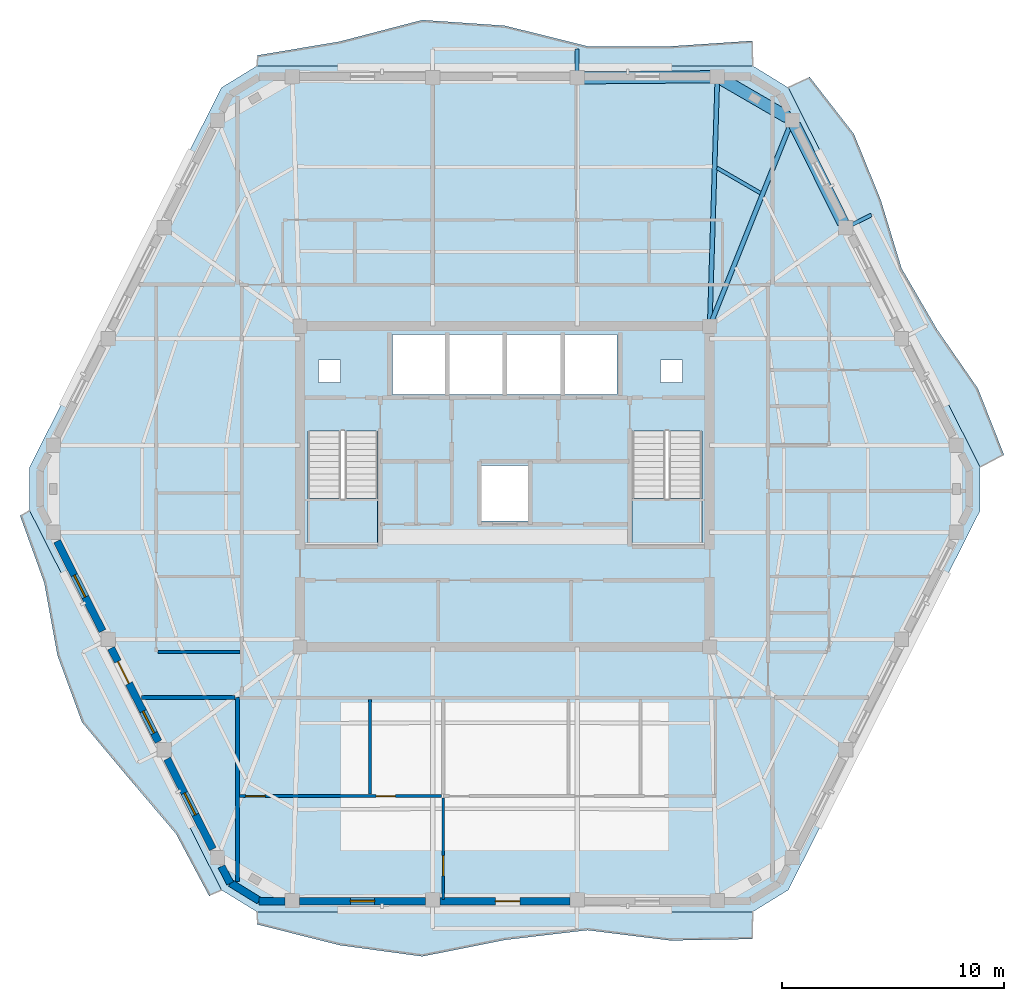
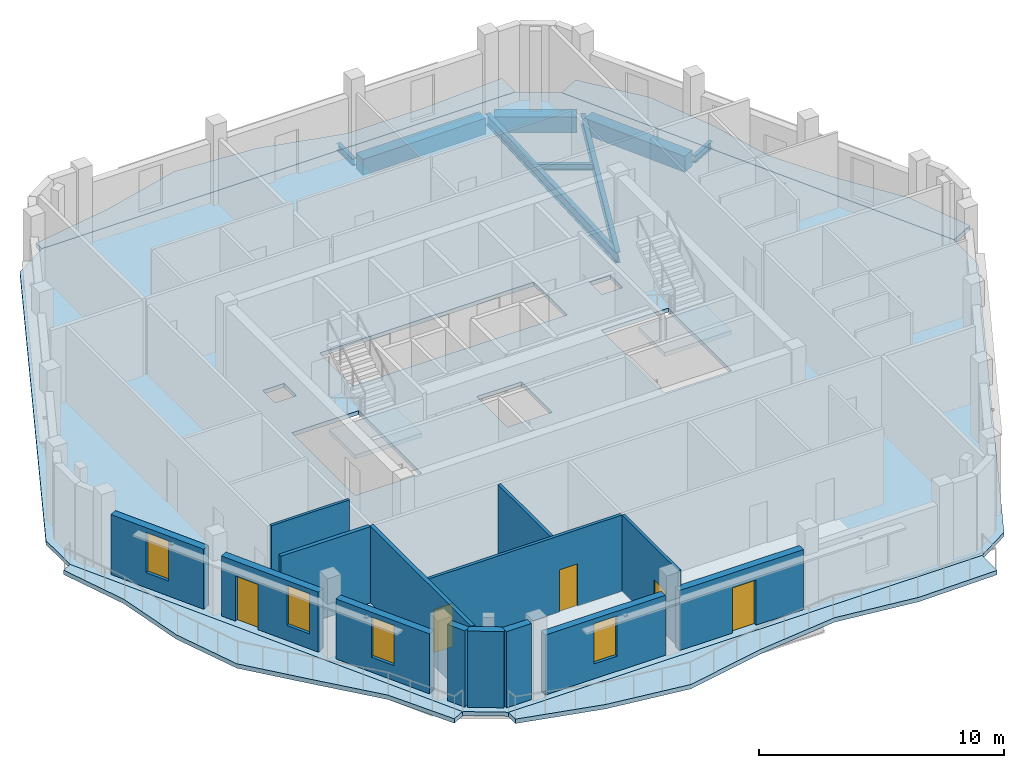
# One storey, part 3 of 10: 14 walls, 8 beams, 7 slabs, 5 doors, 4 windows, 9 openings, 2 elements without a shape of their own.
"""IFC4 building model written with IfcOpenShell, lengths in metres."""

from ifc_helpers import new_model, si_unit, direction, frame, frame_2d, origin, origin_2d, place, context, subcontext, project, spatial, polyline, rectangle, i_section, outline, extrude, material, layer, layer_set, material_profile, profile_set, type_object, element, fill, aggregate, save


model = new_model("IFC4")

# Units and contexts
model_context = context("Model", 3, precision=1e-05, world=origin(), true_north=direction((0.0, 1.0)))
body_context = subcontext(model_context, "Body", "Model", "MODEL_VIEW")
ifc_project = project(units=[si_unit("LENGTHUNIT", "METRE"), si_unit("AREAUNIT", "SQUARE_METRE"), si_unit("VOLUMEUNIT", "CUBIC_METRE"), si_unit("PLANEANGLEUNIT", "RADIAN"), si_unit("MASSUNIT", "GRAM", prefix="KILO")], contexts=[model_context])

# Site, building, storey
site_placement = place(None, origin())
site = spatial("IfcSite", under=ifc_project, at=site_placement, CompositionType="ELEMENT")
building_placement = place(site_placement, origin())
building = spatial("IfcBuilding", under=site, at=building_placement, Name="Cinnabar Lancet Tower", CompositionType="ELEMENT")
storey_placement = place(building_placement, frame((0.0, 0.0, 287.5)))
storey = spatial("IfcBuildingStorey", under=building, at=storey_placement, Name="L76", CompositionType="ELEMENT", Elevation=287.5)

# Beams
ifc_material_1 = material(Name="Structural steel S355", Category="steel")
ifc_material_profile_1 = material_profile(ifc_material_1, i_section(OverallWidth=0.1650390625, OverallDepth=0.303466796875, WebThickness=0.006103515625, FlangeThickness=0.01025390625, FilletRadius=0.0087890625, at=origin_2d()), Name="UKB 305x165x40")
ifc_profile_set_1 = profile_set([ifc_material_profile_1], Name="Structural steel S355")
beam_type_1 = type_object("IfcBeamType", Name="STR-BM-JST-305", PredefinedType="JOIST", material=ifc_profile_set_1)
beam_1_placement = place(storey_placement, frame((43.912109375, 39.1201171875, -0.35205078125), z_axis=(-0.865426285481, 0.501036270542, 0.0), x_axis=(-0.501036270542, -0.865426285481, 0.0)))
element("IfcBeam", 1, at=beam_1_placement, inside=storey, type_object=beam_type_1, Name="L76 Secondary Floor Joist 29", PredefinedType="JOIST", context=body_context, shape_type="SweptSolid", body=[
    extrude(i_section(OverallWidth=0.1650390625, OverallDepth=0.303466796875, WebThickness=0.006103515625, FlangeThickness=0.01025390625, FilletRadius=0.0087890625, at=origin_2d()), origin(), (0.0, 0.0, 1.0), 2.267333984375),
])
ifc_material_2 = material(Name="Concrete C50/60", Category="concrete")
ifc_material_profile_2 = material_profile(ifc_material_2, rectangle(XDim=0.550048828125, YDim=0.800048828125, at=origin_2d()), Name="RC-SB 550x800")
ifc_profile_set_2 = profile_set([ifc_material_profile_2], Name="Concrete C50/60")
beam_type_2 = type_object("IfcBeamType", Name="STR-BM-RCSB-800", PredefinedType="SPANDREL", material=ifc_profile_set_2)
beam_2_placement = place(storey_placement, frame((47.637939453125, 37.778076171875, -0.60009765625), z_axis=(-0.444372599207, 0.895842058107, 0.0), x_axis=(-0.895842058107, -0.444372599207, 0.0)))
element("IfcBeam", 2, at=beam_2_placement, inside=storey, type_object=beam_type_2, Name="L76 Perimeter Spandrel 11", PredefinedType="SPANDREL", context=body_context, shape_type="SweptSolid", body=[
    extrude(rectangle(XDim=0.550048828125, YDim=0.800048828125, at=origin_2d()), origin(), (0.0, 0.0, 1.0), 4.91943359375),
])
beam_3_placement = place(storey_placement, frame((45.125, 42.533935546875, -0.60009765625), z_axis=(-0.865199693264, 0.501427453153, 0.0), x_axis=(-0.501427453153, -0.865199693264, 0.0)))
element("IfcBeam", 3, at=beam_3_placement, inside=storey, type_object=beam_type_2, Name="L76 Perimeter Spandrel 12", PredefinedType="SPANDREL", context=body_context, shape_type="SweptSolid", body=[
    extrude(rectangle(XDim=0.550048828125, YDim=0.800048828125, at=origin_2d()), origin(), (0.0, 0.0, 1.0), 3.39453125),
])
beam_4_placement = place(storey_placement, frame((41.721923828125, 44.35888671875, -0.60009765625), z_axis=(-0.999964782464, -0.008392486634, 0.0), x_axis=(0.008392486634, -0.999964782464, 0.0)))
element("IfcBeam", 4, at=beam_4_placement, inside=storey, type_object=beam_type_2, Name="L76 Perimeter Spandrel 13", PredefinedType="SPANDREL", context=body_context, shape_type="SweptSolid", body=[
    extrude(rectangle(XDim=0.550048828125, YDim=0.800048828125, at=origin_2d()), origin(), (0.0, 0.0, 1.0), 5.818115234375),
])
ifc_material_3 = material(Name="Structural steel S355", Category="steel")
ifc_material_profile_3 = material_profile(ifc_material_3, i_section(OverallWidth=0.209228515625, OverallDepth=0.533203125, WebThickness=0.010009765625, FlangeThickness=0.015625, FilletRadius=0.0126953125, at=origin_2d()), Name="UKB 533x210x92")
ifc_profile_set_3 = profile_set([ifc_material_profile_3], Name="Structural steel S355")
beam_type_3 = type_object("IfcBeamType", Name="STR-BM-UKB533-92", PredefinedType="BEAM", material=ifc_profile_set_3)
beam_5_placement = place(storey_placement, frame((45.341064453125, 42.408935546875, -0.467041015625), z_axis=(-0.371605341166, -0.928390796172, 0.0), x_axis=(0.928390796172, -0.371605341166, 0.0)))
element("IfcBeam", 5, at=beam_5_placement, inside=storey, type_object=beam_type_3, Name="L76 Primary Floor Girder 12", PredefinedType="BEAM", context=body_context, shape_type="SweptSolid", body=[
    extrude(i_section(OverallWidth=0.209228515625, OverallDepth=0.533203125, WebThickness=0.010009765625, FlangeThickness=0.015625, FilletRadius=0.0126953125, at=origin_2d()), origin(), (0.0, 0.0, 1.0), 10.0),
])
beam_6_placement = place(storey_placement, frame((41.971923828125, 44.361083984375, -0.467041015625), z_axis=(-0.030861159652, -0.999523680973, 0.0), x_axis=(0.999523680973, -0.030861159652, 0.0)))
element("IfcBeam", 6, at=beam_6_placement, inside=storey, type_object=beam_type_3, Name="L76 Primary Floor Girder 13", PredefinedType="BEAM", context=body_context, shape_type="SweptSolid", body=[
    extrude(i_section(OverallWidth=0.209228515625, OverallDepth=0.533203125, WebThickness=0.010009765625, FlangeThickness=0.015625, FilletRadius=0.0126953125, at=origin_2d()), origin(), (0.0, 0.0, 1.0), 11.241455078125),
])
ifc_material_4 = material(Name="Structural steel S355", Category="steel")
ifc_material_profile_4 = material_profile(ifc_material_4, i_section(OverallWidth=0.17138671875, OverallDepth=0.35498046875, WebThickness=0.00732421875, FlangeThickness=0.011474609375, FilletRadius=0.01025390625, at=origin_2d()), Name="UKB 356x171x51")
ifc_profile_set_4 = profile_set([ifc_material_profile_4], Name="Structural steel S355")
beam_type_4 = type_object("IfcBeamType", Name="STR-BM-WAV-OUT", PredefinedType="BEAM", material=ifc_profile_set_4)
beam_7_placement = place(storey_placement, frame((47.7490234375, 37.553955078125, -0.39794921875), z_axis=(0.892200264127, 0.451639998995, 0.0), x_axis=(-0.451639998995, 0.892200264127, 0.0)))
element("IfcBeam", 7, at=beam_7_placement, inside=storey, type_object=beam_type_4, Name="L76 Face 3 Balcony Outlooker B", PredefinedType="BEAM", context=body_context, shape_type="SweptSolid", body=[
    extrude(i_section(OverallWidth=0.17138671875, OverallDepth=0.35498046875, WebThickness=0.00732421875, FlangeThickness=0.011474609375, FilletRadius=0.01025390625, at=origin_2d()), origin(), (0.0, 0.0, 1.0), 1.300048828125),
])
beam_8_placement = place(storey_placement, frame((35.654052734375, 44.30810546875, -0.39794921875), z_axis=(0.0, 1.0, 0.0), x_axis=(-1.0, 0.0, 0.0)))
element("IfcBeam", 8, at=beam_8_placement, inside=storey, type_object=beam_type_4, Name="L76 Face 4 Balcony Outlooker A", PredefinedType="BEAM", context=body_context, shape_type="SweptSolid", body=[
    extrude(i_section(OverallWidth=0.17138671875, OverallDepth=0.35498046875, WebThickness=0.00732421875, FlangeThickness=0.011474609375, FilletRadius=0.01025390625, at=origin_2d()), origin(), (0.0, 0.0, 1.0), 1.2998046875),
])

# Stair, slab
ifc_material_5 = material(Name="Concrete C40/50", Category="concrete")
stair_type = type_object("IfcStairType", Name="ST-CORE", PredefinedType="HALF_TURN_STAIR", material=ifc_material_5)
stair_1_placement = place(storey_placement, origin())
stair_1 = element("IfcStair", 9, at=stair_1_placement, inside=storey, type_object=stair_type, Name="L76 ST-1", PredefinedType="HALF_TURN_STAIR")
ifc_material_6 = material(Name="Concrete C40/50", Category="concrete")
ifc_layer_1 = layer(ifc_material_6, 0.199951171875)
ifc_layer_set_1 = layer_set([ifc_layer_1], Name="Concrete C40/50")
slab_type_1 = type_object("IfcSlabType", Name="LANDING-CORE", PredefinedType="LANDING", material=ifc_layer_set_1)
slab_1_placement = place(storey_placement, frame((0.0, 0.0, 1.800048828125)))
slab_1 = element("IfcSlab", 10, at=slab_1_placement, type_object=slab_type_1, Name="ST-1 landing 1", PredefinedType="LANDING", context=body_context, shape_type="SweptSolid", body=[
    extrude(outline(polyline([(23.52490234375, 25.375), (23.52490234375, 23.25), (26.675048828125, 23.25), (26.675048828125, 25.375), (23.52490234375, 25.375)])), origin(), (0.0, 0.0, 1.0), 0.199951171875),
])
aggregate(stair_1, [slab_1])

stair_2_placement = place(storey_placement, origin())
stair_2 = element("IfcStair", 11, at=stair_2_placement, inside=storey, type_object=stair_type, Name="L76 ST-2", PredefinedType="HALF_TURN_STAIR")
slab_2_placement = place(storey_placement, frame((0.0, 0.0, 1.800048828125)))
slab_2 = element("IfcSlab", 12, at=slab_2_placement, type_object=slab_type_1, Name="ST-2 landing 1", PredefinedType="LANDING", context=body_context, shape_type="SweptSolid", body=[
    extrude(outline(polyline([(38.125, 25.375), (38.125, 23.25), (41.27490234375, 23.25), (41.27490234375, 25.375), (38.125, 25.375)])), origin(), (0.0, 0.0, 1.0), 0.199951171875),
])
aggregate(stair_2, [slab_2])

# Slabs
ifc_material_7 = material(Name="Concrete C40/50", Category="concrete")
ifc_layer_2 = layer(ifc_material_7, 0.199951171875)
ifc_layer_set_2 = layer_set([ifc_layer_2], Name="Concrete C40/50")
slab_type_2 = type_object("IfcSlabType", Name="STR-SLB-FLR-200", PredefinedType="FLOOR", material=ifc_layer_set_2)
slab_3_placement = place(storey_placement, frame((0.0, 0.0, -0.199951171875)))
element("IfcSlab", 13, at=slab_3_placement, inside=storey, type_object=slab_type_2, Name="L76 Structural Floor Slab", PredefinedType="FLOOR", context=body_context, shape_type="SweptSolid", body=[
    extrude(outline(polyline([(19.638916015625, 7.73193359375), (21.236083984375, 6.75), (43.56396484375, 6.75), (45.160888671875, 7.73193359375), (53.802978515625, 24.818115234375), (53.802978515625, 26.781982421875), (45.160888671875, 43.867919921875), (43.56396484375, 44.85009765625), (21.236083984375, 44.85009765625), (19.638916015625, 43.867919921875), (10.9970703125, 26.781982421875), (10.9970703125, 24.818115234375), (19.638916015625, 7.73193359375)]), holes=[polyline([(23.52490234375, 23.25), (26.675048828125, 23.25), (26.675048828125, 28.3994140625), (23.52490234375, 28.3994140625), (23.52490234375, 23.25)]), polyline([(38.125, 23.25), (41.27490234375, 23.25), (41.27490234375, 28.3994140625), (38.125, 28.3994140625), (38.125, 23.25)]), polyline([(27.35009765625, 30.050048828125), (37.449951171875, 30.050048828125), (37.449951171875, 32.75), (27.35009765625, 32.75), (27.35009765625, 30.050048828125)]), polyline([(31.35009765625, 24.35009765625), (33.449951171875, 24.35009765625), (33.449951171875, 26.85009765625), (31.35009765625, 26.85009765625), (31.35009765625, 24.35009765625)]), polyline([(24.0, 30.60009765625), (25.0, 30.60009765625), (25.0, 31.60009765625), (24.0, 31.60009765625), (24.0, 30.60009765625)]), polyline([(39.39990234375, 30.60009765625), (40.39990234375, 30.60009765625), (40.39990234375, 31.60009765625), (39.39990234375, 31.60009765625), (39.39990234375, 30.60009765625)])]), origin(), (0.0, 0.0, 1.0), 0.199951171875),
])
ifc_material_8 = material(Name="Concrete C45/55", Category="concrete")
ifc_layer_3 = layer(ifc_material_8, 0.219970703125)
ifc_layer_set_3 = layer_set([ifc_layer_3], Name="Concrete C45/55")
slab_type_3 = type_object("IfcSlabType", Name="STR-SLB-WAV-220", PredefinedType="FLOOR", material=ifc_layer_set_3)
slab_4_placement = place(storey_placement, frame((0.0, 0.0, -0.219970703125)))
element("IfcSlab", 14, at=slab_4_placement, inside=storey, type_object=slab_type_3, Name="L76 Face 1 Undulating Wave Balcony Slab", PredefinedType="FLOOR", context=body_context, shape_type="SweptSolid", body=[
    extrude(outline(polyline([(21.236083984375, 6.75), (21.236083984375, 6.18505859375), (24.95703125, 5.24609375), (28.678955078125, 4.739990234375), (32.39990234375, 5.48193359375), (36.12109375, 5.923095703125), (39.843017578125, 5.458984375), (43.56396484375, 5.52587890625), (43.56396484375, 6.75), (21.236083984375, 6.75)])), origin(), (0.0, 0.0, 1.0), 0.219970703125),
])
slab_5_placement = place(storey_placement, frame((0.0, 0.0, -0.219970703125)))
element("IfcSlab", 15, at=slab_5_placement, inside=storey, type_object=slab_type_3, Name="L76 Face 3 Undulating Wave Balcony Slab", PredefinedType="FLOOR", context=body_context, shape_type="SweptSolid", body=[
    extrude(outline(polyline([(53.802978515625, 26.781982421875), (54.8798828125, 27.326904296875), (53.7080078125, 30.31005859375), (51.8759765625, 32.9599609375), (50.26904296875, 35.722900390625), (49.323974609375, 38.821044921875), (48.115966796875, 41.785888671875), (46.12109375, 44.35302734375), (45.160888671875, 43.867919921875), (53.802978515625, 26.781982421875)])), origin(), (0.0, 0.0, 1.0), 0.219970703125),
])
slab_6_placement = place(storey_placement, frame((0.0, 0.0, -0.219970703125)))
element("IfcSlab", 16, at=slab_6_placement, inside=storey, type_object=slab_type_3, Name="L76 Face 4 Undulating Wave Balcony Slab", PredefinedType="FLOOR", context=body_context, shape_type="SweptSolid", body=[
    extrude(outline(polyline([(43.56396484375, 44.85009765625), (43.56396484375, 45.97802734375), (39.843017578125, 45.73095703125), (36.12109375, 45.73193359375), (32.39990234375, 46.659912109375), (28.678955078125, 46.9150390625), (24.95703125, 45.944091796875), (21.236083984375, 45.319091796875), (21.236083984375, 44.85009765625), (43.56396484375, 44.85009765625)])), origin(), (0.0, 0.0, 1.0), 0.219970703125),
])
slab_7_placement = place(storey_placement, frame((0.0, 0.0, -0.219970703125)))
element("IfcSlab", 17, at=slab_7_placement, inside=storey, type_object=slab_type_3, Name="L76 Face 6 Undulating Wave Balcony Slab", PredefinedType="FLOOR", context=body_context, shape_type="SweptSolid", body=[
    extrude(outline(polyline([(10.9970703125, 24.818115234375), (10.56298828125, 24.59912109375), (11.654052734375, 21.573974609375), (12.2509765625, 18.300048828125), (13.35791015625, 15.283935546875), (15.4599609375, 12.77099609375), (17.5849609375, 10.26904296875), (19.087890625, 7.452880859375), (19.638916015625, 7.73193359375), (10.9970703125, 24.818115234375)])), origin(), (0.0, 0.0, 1.0), 0.219970703125),
])

# Walls
ifc_material_9 = material(Name="Fire-rated twin-frame acoustic drywall", Category="gypsum")
ifc_layer_4 = layer(ifc_material_9, 0.179931640625)
ifc_layer_set_4 = layer_set([ifc_layer_4], Name="Fire-rated twin-frame acoustic drywall")
wall_type_1 = type_object("IfcWallType", Name="ARC-WL-PARTY-180", PredefinedType="PARTITIONING", material=ifc_layer_set_4)
wall_1_placement = place(storey_placement, frame((20.35009765625, 8.118896484375, 0.0), z_axis=(0.0, 0.0, 1.0), x_axis=(0.0, 1.0, 0.0)))
element("IfcWall", 18, at=wall_1_placement, inside=storey, type_object=wall_type_1, Name="PW-L76-SPTY-204", PredefinedType="PARTITIONING", context=body_context, shape_type="SweptSolid", body=[
    extrude(rectangle(XDim=8.281005859375, YDim=0.179931640625, at=frame_2d((4.140625, 0.0))), origin(), (0.0, 0.0, 1.0), 3.800048828125),
])
wall_2_placement = place(storey_placement, frame((16.033935546875, 16.39990234375, 0.0), z_axis=(0.0, 0.0, 1.0), x_axis=(1.0, 0.0, 0.0)))
element("IfcWall", 19, at=wall_2_placement, inside=storey, type_object=wall_type_1, Name="PW-L76-WSB", PredefinedType="PARTITIONING", context=body_context, shape_type="SweptSolid", body=[
    extrude(rectangle(XDim=4.220947265625, YDim=0.179931640625, at=frame_2d((2.1103515625, 0.0))), origin(), (0.0, 0.0, 1.0), 3.800048828125),
])

# Wall, opening, door
ifc_material_10 = material(Name="Gypsum plasterboard stud partition", Category="gypsum")
ifc_layer_5 = layer(ifc_material_10, 0.125)
ifc_layer_set_5 = layer_set([ifc_layer_5], Name="Gypsum plasterboard stud partition")
wall_type_2 = type_object("IfcWallType", Name="ARC-WL-UNIT-125", PredefinedType="PARTITIONING", material=ifc_layer_set_5)
wall_3_placement = place(storey_placement, frame((29.6259765625, 7.31494140625, 0.0), z_axis=(0.0, 0.0, 1.0), x_axis=(0.0, 1.0, 0.0)))
wall_3 = element("IfcWall", 20, at=wall_3_placement, inside=storey, type_object=wall_type_2, Name="UW-L76-S01-MBW", PredefinedType="PARTITIONING", context=body_context, shape_type="SweptSolid", body=[
    extrude(rectangle(XDim=4.572021484375, YDim=0.125, at=frame_2d((2.2861328125, 0.0))), origin(), (0.0, 0.0, 1.0), 3.800048828125),
])
opening_1_placement = place(wall_3_placement, frame((1.050048828125, 0.0, 0.0)))
opening_1 = element("IfcOpeningElement", 21, at=opening_1_placement, cuts=wall_3, Name="Opening RD-01", PredefinedType="OPENING", context=body_context, shape_type="SweptSolid", body=[
    extrude(rectangle(XDim=0.919921875, YDim=2.14990234375, at=frame_2d((0.4599609375, 1.074951171875))), frame((0.0, 0.072509765625, 0.0), z_axis=(0.0, -1.0, 0.0), x_axis=(1.0, 0.0, 0.0)), (0.0, 0.0, 1.0), 0.14501953125),
])
ifc_material_11 = material(Name="Engineered timber bedroom door", Category="wood")
door_type_1 = type_object("IfcDoorType", Name="ARC-DR-ROOM", OperationType="NOTDEFINED", PredefinedType="DOOR", material=ifc_material_11)
door_1_placement = place(opening_1_placement, origin())
door_1 = element("IfcDoor", 22, at=door_1_placement, inside=storey, type_object=door_type_1, Name="DR-L76-S01-MBD", OperationType="SINGLE_SWING_LEFT", OverallHeight=2.14990234375, OverallWidth=0.919921875, PredefinedType="DOOR", context=body_context, shape_type="SweptSolid", body=[
    extrude(rectangle(XDim=0.919921875, YDim=2.14990234375, at=frame_2d((0.4599609375, 1.074951171875))), frame((0.0, 0.02490234375, 0.0), z_axis=(0.0, -1.0, 0.0), x_axis=(1.0, 0.0, 0.0)), (0.0, 0.0, 1.0), 0.050048828125),
])
fill(opening_1, door_1)

# Wall
wall_4_placement = place(storey_placement, frame((16.784912109375, 18.449951171875, 0.0), z_axis=(0.0, 0.0, 1.0), x_axis=(1.0, 0.0, 0.0)))
element("IfcWall", 23, at=wall_4_placement, inside=storey, type_object=wall_type_2, Name="UW-L76-W01-FOYN", PredefinedType="PARTITIONING", context=body_context, shape_type="SweptSolid", body=[
    extrude(rectangle(XDim=3.68017578125, YDim=0.125, at=frame_2d((1.840087890625, 0.0))), origin(), (0.0, 0.0, 1.0), 3.800048828125),
])

# Wall, openings, doors
ifc_material_12 = material(Name="Moisture-resistant cement-board plumbing wall", Category="masonry")
ifc_layer_6 = layer(ifc_material_12, 0.139892578125)
ifc_layer_set_6 = layer_set([ifc_layer_6], Name="Moisture-resistant cement-board plumbing wall")
wall_type_3 = type_object("IfcWallType", Name="ARC-WL-WET-140", PredefinedType="PLUMBINGWALL", material=ifc_layer_set_6)
wall_5_placement = place(storey_placement, frame((20.445068359375, 11.9619140625, 0.0), z_axis=(0.0, 0.0, 1.0), x_axis=(1.0, 0.0, 0.0)))
wall_5 = element("IfcWall", 24, at=wall_5_placement, inside=storey, type_object=wall_type_3, Name="UW-L76-S01-SPM", PredefinedType="PLUMBINGWALL", context=body_context, shape_type="SweptSolid", body=[
    extrude(rectangle(XDim=9.10595703125, YDim=0.139892578125, at=frame_2d((4.552978515625, 0.0))), origin(), (0.0, 0.0, 1.0), 3.800048828125),
])
opening_2_placement = place(wall_5_placement, frame((0.280029296875, 0.0, 0.0)))
opening_2 = element("IfcOpeningElement", 25, at=opening_2_placement, cuts=wall_5, Name="Opening RD-02", PredefinedType="OPENING", context=body_context, shape_type="SweptSolid", body=[
    extrude(rectangle(XDim=0.8798828125, YDim=2.14990234375, at=frame_2d((0.43994140625, 1.074951171875))), frame((0.0, 0.079833984375, 0.0), z_axis=(0.0, -1.0, 0.0), x_axis=(1.0, 0.0, 0.0)), (0.0, 0.0, 1.0), 0.159912109375),
])
opening_3_placement = place(wall_5_placement, frame((6.159912109375, 0.0, 0.0)))
opening_3 = element("IfcOpeningElement", 26, at=opening_3_placement, cuts=wall_5, Name="Opening BD-01", PredefinedType="OPENING", context=body_context, shape_type="SweptSolid", body=[
    extrude(rectangle(XDim=0.860107421875, YDim=2.10009765625, at=frame_2d((0.43017578125, 1.050048828125))), frame((0.0, 0.079833984375, 0.0), z_axis=(0.0, -1.0, 0.0), x_axis=(1.0, 0.0, 0.0)), (0.0, 0.0, 1.0), 0.159912109375),
])
ifc_material_13 = material(Name="Moisture-resistant timber bathroom door", Category="wood")
door_type_2 = type_object("IfcDoorType", Name="ARC-DR-BATH", OperationType="NOTDEFINED", PredefinedType="DOOR", material=ifc_material_13)
door_2_placement = place(opening_3_placement, origin())
door_2 = element("IfcDoor", 27, at=door_2_placement, inside=storey, type_object=door_type_2, Name="DR-L76-S01-ENS", OperationType="SINGLE_SWING_LEFT", OverallHeight=2.10009765625, OverallWidth=0.860107421875, PredefinedType="DOOR", context=body_context, shape_type="SweptSolid", body=[
    extrude(rectangle(XDim=0.860107421875, YDim=2.10009765625, at=frame_2d((0.43017578125, 1.050048828125))), frame((0.0, 0.02490234375, 0.0), z_axis=(0.0, -1.0, 0.0), x_axis=(1.0, 0.0, 0.0)), (0.0, 0.0, 1.0), 0.050048828125),
])
fill(opening_3, door_2)
ifc_material_14 = material(Name="Engineered timber study door", Category="wood")
door_type_3 = type_object("IfcDoorType", Name="ARC-DR-STUDY", OperationType="NOTDEFINED", PredefinedType="DOOR", material=ifc_material_14)
door_3_placement = place(opening_2_placement, origin())
door_3 = element("IfcDoor", 28, at=door_3_placement, inside=storey, type_object=door_type_3, Name="DR-L76-S01-ENS-WDR", OperationType="SINGLE_SWING_RIGHT", OverallHeight=2.14990234375, OverallWidth=0.8798828125, PredefinedType="DOOR", context=body_context, shape_type="SweptSolid", body=[
    extrude(rectangle(XDim=0.8798828125, YDim=2.14990234375, at=frame_2d((0.43994140625, 1.074951171875))), frame((0.0, 0.02490234375, 0.0), z_axis=(0.0, -1.0, 0.0), x_axis=(1.0, 0.0, 0.0)), (0.0, 0.0, 1.0), 0.050048828125),
])
fill(opening_2, door_3)

# Walls
wall_6_placement = place(storey_placement, frame((26.324951171875, 12.047119140625, 0.0), z_axis=(0.0, 0.0, 1.0), x_axis=(0.0, 1.0, 0.0)))
element("IfcWall", 29, at=wall_6_placement, inside=storey, type_object=wall_type_3, Name="UW-L76-S01-ENS-WDV", PredefinedType="PLUMBINGWALL", context=body_context, shape_type="SweptSolid", body=[
    extrude(rectangle(XDim=4.267822265625, YDim=0.139892578125, at=frame_2d((2.1337890625, 0.0))), origin(), (0.0, 0.0, 1.0), 3.800048828125),
])
ifc_material_15 = material(Name="Cinnabar red clay brick", Category="masonry")
ifc_layer_7 = layer(ifc_material_15, 0.340087890625)
ifc_layer_set_7 = layer_set([ifc_layer_7], Name="Cinnabar red clay brick")
wall_type_4 = type_object("IfcWallType", Name="ENV-WL-BRK-RED-340", PredefinedType="STANDARD", material=ifc_layer_set_7)
wall_7_placement = place(storey_placement, frame((20.047119140625, 8.044921875, 0.0), z_axis=(0.0, 0.0, 1.0), x_axis=(0.851680557619, -0.52406128246, 0.0)))
element("IfcWall", 30, at=wall_7_placement, inside=storey, type_object=wall_type_4, Name="L76 Chamfered Corner Brick Pier 1.1", PredefinedType="STANDARD", context=body_context, shape_type="SweptSolid", body=[
    extrude(rectangle(XDim=1.507568359375, YDim=0.340087890625, at=frame_2d((0.75390625, 0.0))), origin(), (0.0, 0.0, 1.0), 3.800048828125),
])
wall_8_placement = place(storey_placement, frame((21.325927734375, 7.22998046875, 0.0), z_axis=(0.0, 0.0, 1.0), x_axis=(1.0, 0.0, 0.0)))
element("IfcWall", 31, at=wall_8_placement, inside=storey, type_object=wall_type_4, Name="L76 Face 1 Masonry Bay Wall 1", PredefinedType="STANDARD", context=body_context, shape_type="SweptSolid", body=[
    extrude(rectangle(XDim=1.173095703125, YDim=0.340087890625, at=frame_2d((0.58642578125, 0.0))), origin(), (0.0, 0.0, 1.0), 3.800048828125),
])

# Wall, opening, window
wall_9_placement = place(storey_placement, frame((23.156982421875, 7.22998046875, 0.0), z_axis=(0.0, 0.0, 1.0), x_axis=(1.0, 0.0, 0.0)))
wall_9 = element("IfcWall", 32, at=wall_9_placement, inside=storey, type_object=wall_type_4, Name="L76 Face 1 Masonry Bay Wall 2", PredefinedType="STANDARD", context=body_context, shape_type="SweptSolid", body=[
    extrude(rectangle(XDim=5.659912109375, YDim=0.340087890625, at=frame_2d((2.830078125, 0.0))), origin(), (0.0, 0.0, 1.0), 2.989990234375),
])
opening_4_placement = place(wall_9_placement, frame((2.280029296875, 0.0, 0.75)))
opening_4 = element("IfcOpeningElement", 33, at=opening_4_placement, cuts=wall_9, Name="Opening WN-04", PredefinedType="OPENING", context=body_context, shape_type="SweptSolid", body=[
    extrude(rectangle(XDim=1.10009765625, YDim=2.0, at=frame_2d((0.550048828125, 1.0))), frame((0.0, 0.179931640625, 0.0), z_axis=(0.0, -1.0, 0.0), x_axis=(1.0, 0.0, 0.0)), (0.0, 0.0, 1.0), 0.360107421875),
])
ifc_material_16 = material(Name="Thermally broken bronze-anodized aluminium tall lancet window", Category="aluminium")
window_type = type_object("IfcWindowType", Name="ENV-WN-LANCET-1100", PartitioningType="SINGLE_PANEL", PredefinedType="WINDOW", material=ifc_material_16)
window_1_placement = place(opening_4_placement, origin())
window_1 = element("IfcWindow", 34, at=window_1_placement, inside=storey, type_object=window_type, Name="L76 Face 1 Gothic Lancet Window 2", OverallHeight=2.0, OverallWidth=1.10009765625, PartitioningType="SINGLE_PANEL", PredefinedType="WINDOW", context=body_context, shape_type="SweptSolid", body=[
    extrude(rectangle(XDim=1.10009765625, YDim=2.0, at=frame_2d((0.550048828125, 1.0))), frame((0.0, 0.030029296875, 0.0), z_axis=(0.0, -1.0, 0.0), x_axis=(1.0, 0.0, 0.0)), (0.0, 0.0, 1.0), 0.06005859375),
])
fill(opening_4, window_1)

# Wall, opening, door
wall_10_placement = place(storey_placement, frame((29.47509765625, 7.22998046875, 0.0), z_axis=(0.0, 0.0, 1.0), x_axis=(1.0, 0.0, 0.0)))
wall_10 = element("IfcWall", 35, at=wall_10_placement, inside=storey, type_object=wall_type_4, Name="L76 Face 1 Masonry Bay Wall 3", PredefinedType="STANDARD", context=body_context, shape_type="SweptSolid", body=[
    extrude(rectangle(XDim=5.849853515625, YDim=0.340087890625, at=frame_2d((2.9248046875, 0.0))), origin(), (0.0, 0.0, 1.0), 2.989990234375),
])
opening_5_placement = place(wall_10_placement, frame((2.501953125, 0.0, 0.0)))
opening_5 = element("IfcOpeningElement", 36, at=opening_5_placement, cuts=wall_10, Name="Opening TD-01", PredefinedType="OPENING", context=body_context, shape_type="SweptSolid", body=[
    extrude(rectangle(XDim=1.10009765625, YDim=2.25, at=frame_2d((0.550048828125, 1.125))), frame((0.0, 0.179931640625, 0.0), z_axis=(0.0, -1.0, 0.0), x_axis=(1.0, 0.0, 0.0)), (0.0, 0.0, 1.0), 0.360107421875),
])
ifc_material_17 = material(Name="Thermally broken low-E glazed balcony terrace door", Category="wood")
door_type_4 = type_object("IfcDoorType", Name="ARC-DR-BALC", OperationType="NOTDEFINED", PredefinedType="DOOR", material=ifc_material_17)
door_4_placement = place(opening_5_placement, origin())
door_4 = element("IfcDoor", 37, at=door_4_placement, inside=storey, type_object=door_type_4, Name="L76 Face 1 Glazed Terrace Door", OperationType="SINGLE_SWING_LEFT", OverallHeight=2.25, OverallWidth=1.10009765625, PredefinedType="DOOR", context=body_context, shape_type="SweptSolid", body=[
    extrude(rectangle(XDim=1.10009765625, YDim=2.25, at=frame_2d((0.550048828125, 1.125))), frame((0.0, 0.02490234375, 0.0), z_axis=(0.0, -1.0, 0.0), x_axis=(1.0, 0.0, 0.0)), (0.0, 0.0, 1.0), 0.050048828125),
])
fill(opening_5, door_4)

# Wall, opening, window
wall_11_placement = place(storey_placement, frame((12.23193359375, 23.43896484375, 0.0), z_axis=(0.0, 0.0, 1.0), x_axis=(0.45147697324, -0.892282770558, 0.0)))
wall_11 = element("IfcWall", 38, at=wall_11_placement, inside=storey, type_object=wall_type_4, Name="L76 Face 6 Masonry Bay Wall 2", PredefinedType="STANDARD", context=body_context, shape_type="SweptSolid", body=[
    extrude(rectangle(XDim=4.530029296875, YDim=0.340087890625, at=frame_2d((2.26513671875, 0.0))), origin(), (0.0, 0.0, 1.0), 2.989990234375),
])
opening_6_placement = place(wall_11_placement, frame((1.715087890625, 0.0, 0.75)))
opening_6 = element("IfcOpeningElement", 39, at=opening_6_placement, cuts=wall_11, Name="Opening WN-04", PredefinedType="OPENING", context=body_context, shape_type="SweptSolid", body=[
    extrude(rectangle(XDim=1.10009765625, YDim=2.0, at=frame_2d((0.550048828125, 1.0))), frame((0.0, 0.179931640625, 0.0), z_axis=(0.0, -1.0, 0.0), x_axis=(1.0, 0.0, 0.0)), (0.0, 0.0, 1.0), 0.360107421875),
])
window_2_placement = place(opening_6_placement, origin())
window_2 = element("IfcWindow", 40, at=window_2_placement, inside=storey, type_object=window_type, Name="L76 Face 6 Gothic Lancet Window 2", OverallHeight=2.0, OverallWidth=1.10009765625, PartitioningType="SINGLE_PANEL", PredefinedType="WINDOW", context=body_context, shape_type="SweptSolid", body=[
    extrude(rectangle(XDim=1.10009765625, YDim=2.0, at=frame_2d((0.550048828125, 1.0))), frame((0.0, 0.030029296875, 0.0), z_axis=(0.0, -1.0, 0.0), x_axis=(1.0, 0.0, 0.0)), (0.0, 0.0, 1.0), 0.06005859375),
])
fill(opening_6, window_2)

# Wall, openings, door, window
wall_12_placement = place(storey_placement, frame((14.666015625, 18.626953125, 0.0), z_axis=(0.0, 0.0, 1.0), x_axis=(0.451468341582, -0.892287137949, 0.0)))
wall_12 = element("IfcWall", 41, at=wall_12_placement, inside=storey, type_object=wall_type_4, Name="L76 Face 6 Masonry Bay Wall 3", PredefinedType="STANDARD", context=body_context, shape_type="SweptSolid", body=[
    extrude(rectangle(XDim=4.72265625, YDim=0.340087890625, at=frame_2d((2.361328125, 0.0))), origin(), (0.0, 0.0, 1.0), 2.989990234375),
])
opening_7_placement = place(wall_12_placement, frame((0.681884765625, 0.0, 0.0)))
opening_7 = element("IfcOpeningElement", 42, at=opening_7_placement, cuts=wall_12, Name="Opening TD-01", PredefinedType="OPENING", context=body_context, shape_type="SweptSolid", body=[
    extrude(rectangle(XDim=1.10009765625, YDim=2.25, at=frame_2d((0.550048828125, 1.125))), frame((0.0, 0.179931640625, 0.0), z_axis=(0.0, -1.0, 0.0), x_axis=(1.0, 0.0, 0.0)), (0.0, 0.0, 1.0), 0.360107421875),
])
opening_8_placement = place(wall_12_placement, frame((3.18896484375, 0.0, 0.75)))
opening_8 = element("IfcOpeningElement", 43, at=opening_8_placement, cuts=wall_12, Name="Opening WN-04", PredefinedType="OPENING", context=body_context, shape_type="SweptSolid", body=[
    extrude(rectangle(XDim=1.10009765625, YDim=2.0, at=frame_2d((0.550048828125, 1.0))), frame((0.0, 0.179931640625, 0.0), z_axis=(0.0, -1.0, 0.0), x_axis=(1.0, 0.0, 0.0)), (0.0, 0.0, 1.0), 0.360107421875),
])
door_5_placement = place(opening_7_placement, origin())
door_5 = element("IfcDoor", 44, at=door_5_placement, inside=storey, type_object=door_type_4, Name="L76 Face 6 Glazed Terrace Door", OperationType="SINGLE_SWING_RIGHT", OverallHeight=2.25, OverallWidth=1.10009765625, PredefinedType="DOOR", context=body_context, shape_type="SweptSolid", body=[
    extrude(rectangle(XDim=1.10009765625, YDim=2.25, at=frame_2d((0.550048828125, 1.125))), frame((0.0, 0.02490234375, 0.0), z_axis=(0.0, -1.0, 0.0), x_axis=(1.0, 0.0, 0.0)), (0.0, 0.0, 1.0), 0.050048828125),
])
fill(opening_7, door_5)
window_3_placement = place(opening_8_placement, origin())
window_3 = element("IfcWindow", 45, at=window_3_placement, inside=storey, type_object=window_type, Name="L76 Split-Bay Gothic Lancet Window 287", OverallHeight=2.0, OverallWidth=1.10009765625, PartitioningType="SINGLE_PANEL", PredefinedType="WINDOW", context=body_context, shape_type="SweptSolid", body=[
    extrude(rectangle(XDim=1.10009765625, YDim=2.0, at=frame_2d((0.550048828125, 1.0))), frame((0.0, 0.030029296875, 0.0), z_axis=(0.0, -1.0, 0.0), x_axis=(1.0, 0.0, 0.0)), (0.0, 0.0, 1.0), 0.06005859375),
])
fill(opening_8, window_3)

# Wall, opening, window
wall_13_placement = place(storey_placement, frame((17.18798828125, 13.639892578125, 0.0), z_axis=(0.0, 0.0, 1.0), x_axis=(0.45149770819, -0.892272278791, 0.0)))
wall_13 = element("IfcWall", 46, at=wall_13_placement, inside=storey, type_object=wall_type_4, Name="L76 Face 6 Masonry Bay Wall 4", PredefinedType="STANDARD", context=body_context, shape_type="SweptSolid", body=[
    extrude(rectangle(XDim=4.553466796875, YDim=0.340087890625, at=frame_2d((2.27685546875, 0.0))), origin(), (0.0, 0.0, 1.0), 2.989990234375),
])
opening_9_placement = place(wall_13_placement, frame((1.72705078125, 0.0, 0.75)))
opening_9 = element("IfcOpeningElement", 47, at=opening_9_placement, cuts=wall_13, Name="Opening WN-04", PredefinedType="OPENING", context=body_context, shape_type="SweptSolid", body=[
    extrude(rectangle(XDim=1.10009765625, YDim=2.0, at=frame_2d((0.550048828125, 1.0))), frame((0.0, 0.179931640625, 0.0), z_axis=(0.0, -1.0, 0.0), x_axis=(1.0, 0.0, 0.0)), (0.0, 0.0, 1.0), 0.360107421875),
])
window_4_placement = place(opening_9_placement, origin())
window_4 = element("IfcWindow", 48, at=window_4_placement, inside=storey, type_object=window_type, Name="L76 Face 6 Gothic Lancet Window 4", OverallHeight=2.0, OverallWidth=1.10009765625, PartitioningType="SINGLE_PANEL", PredefinedType="WINDOW", context=body_context, shape_type="SweptSolid", body=[
    extrude(rectangle(XDim=1.10009765625, YDim=2.0, at=frame_2d((0.550048828125, 1.0))), frame((0.0, 0.030029296875, 0.0), z_axis=(0.0, -1.0, 0.0), x_axis=(1.0, 0.0, 0.0)), (0.0, 0.0, 1.0), 0.06005859375),
])
fill(opening_9, window_4)

# Wall
wall_14_placement = place(storey_placement, frame((19.64208984375, 8.7890625, 0.0), z_axis=(0.0, 0.0, 1.0), x_axis=(0.451907025977, -0.8920650424, 0.0)))
element("IfcWall", 49, at=wall_14_placement, inside=storey, type_object=wall_type_4, Name="L76 Face 6 Masonry Bay Wall 5", PredefinedType="STANDARD", context=body_context, shape_type="SweptSolid", body=[
    extrude(rectangle(XDim=0.85205078125, YDim=0.340087890625, at=frame_2d((0.426025390625, 0.0))), origin(), (0.0, 0.0, 1.0), 3.800048828125),
])

save(model, "model.ifc")
